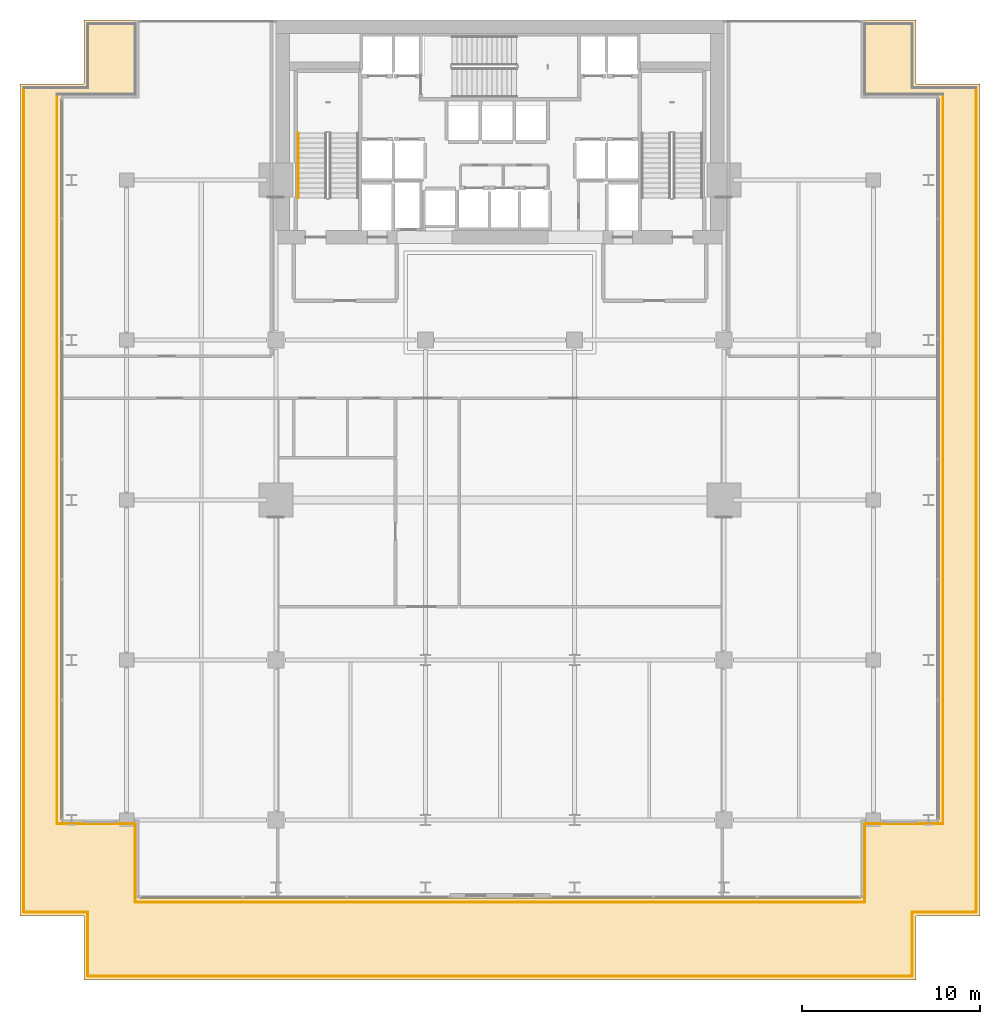
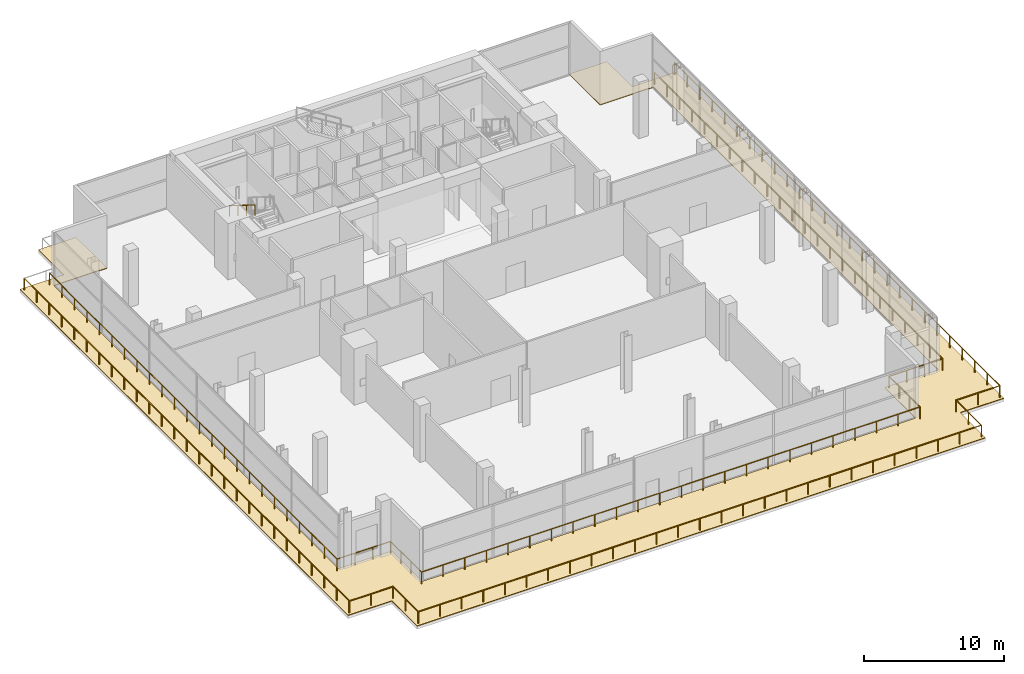
# One storey, part 28 of 31: 15 railings, 1 covering.
"""IFC4 building model written with IfcOpenShell, lengths in metres."""

from ifc_helpers import new_model, si_unit, direction, frame, origin, origin_2d, place, context, subcontext, project, spatial, polyline, circle, outline, extrude, material, layer, layer_set, type_object, element, save


model = new_model("IFC4")

# Units and contexts
model_context = context("Model", 3, precision=1e-05, world=origin(), true_north=direction((0.0, 1.0)))
body_context = subcontext(model_context, "Body", "Model", "MODEL_VIEW")
ifc_project = project(units=[si_unit("LENGTHUNIT", "METRE"), si_unit("AREAUNIT", "SQUARE_METRE"), si_unit("VOLUMEUNIT", "CUBIC_METRE"), si_unit("PLANEANGLEUNIT", "RADIAN"), si_unit("MASSUNIT", "GRAM", prefix="KILO")], contexts=[model_context])

# Site, building, storey
site_placement = place(None, origin())
site = spatial("IfcSite", under=ifc_project, at=site_placement, CompositionType="ELEMENT")
building_placement = place(site_placement, origin())
building = spatial("IfcBuilding", under=site, at=building_placement, Name="Maruvema Waterfront Hotel and Observation Tower", CompositionType="ELEMENT")
storey_placement = place(building_placement, frame((0.0, 0.0, 122.5)))
storey = spatial("IfcBuildingStorey", under=building, at=storey_placement, Name="L29", CompositionType="ELEMENT", Elevation=122.5)

# Covering
ifc_material_1 = material(Name="SBS modified bitumen waterproofing with granite ballast", Category="masonry")
ifc_layer = layer(ifc_material_1, 0.090087890625, Name="Elastomeric Waterproof Roof Membrane and Granite Ballast 90 mm")
ifc_layer_set = layer_set([ifc_layer], Name="SBS modified bitumen waterproofing with granite ballast")
covering_type = type_object("IfcCoveringType", Name="Elastomeric Waterproof Roof Membrane and Granite Ballast 90 mm", PredefinedType="ROOFING", material=ifc_layer_set)
covering_placement = place(storey_placement, origin())
element("IfcCovering", 1, at=covering_placement, inside=storey, type_object=covering_type, Name="L29 Setback Terrace Waterproofing and Pavers 1", PredefinedType="ROOFING", context=body_context, shape_type="SweptSolid", body=[
    extrude(outline(polyline([(61.199951171875, 54.0), (61.199951171875, 50.39990234375), (64.800048828125, 50.39990234375), (64.800048828125, 3.60009765625), (61.199951171875, 3.60009765625), (61.199951171875, 0.0), (14.39990234375, 0.0), (14.39990234375, 3.60009765625), (10.800048828125, 3.60009765625), (10.800048828125, 50.39990234375), (14.39990234375, 50.39990234375), (14.39990234375, 54.0), (17.5, 54.0), (17.5, 49.60009765625), (13.10009765625, 49.60009765625), (13.10009765625, 9.0), (17.5, 9.0), (17.5, 4.60009765625), (58.10009765625, 4.60009765625), (58.10009765625, 9.0), (62.5, 9.0), (62.5, 49.60009765625), (58.10009765625, 49.60009765625), (58.10009765625, 54.0), (61.199951171875, 54.0)])), origin(), (0.0, 0.0, 1.0), 0.06005859375),
])

# Railings
ifc_material_2 = material(Name="Brushed stainless steel Grade 316", Category="steel")
railing_type_1 = type_object("IfcRailingType", Name="Ramp Continuous Wall Handrail 920 mm", PredefinedType="HANDRAIL", material=ifc_material_2)
railing_1_placement = place(storey_placement, frame((26.449951171875, 47.639892578125, 2.625)))
element("IfcRailing", 2, at=railing_1_placement, inside=storey, type_object=railing_type_1, Name="L29 ST-01 stair handrail 2", PredefinedType="HANDRAIL", context=body_context, shape_type="SweptSolid", body=[
    extrude(circle(Radius=0.02392578125, at=origin_2d()), frame((0.0, 0.0, 0.89599609375), z_axis=(0.0, -0.848001499411, 0.52999382732), x_axis=(1.0, 0.0, 0.0)), (0.0, 0.0, 1.0), 4.292236328125),
    extrude(circle(Radius=0.02099609375, at=origin_2d()), origin(), (0.0, 0.0, 1.0), 0.871826171875),
    extrude(circle(Radius=0.02099609375, at=origin_2d()), frame((0.0, -1.21337890625, 0.75830078125)), (0.0, 0.0, 1.0), 0.871826171875),
    extrude(circle(Radius=0.02099609375, at=origin_2d()), frame((0.0, -2.426513671875, 1.5166015625)), (0.0, 0.0, 1.0), 0.871826171875),
    extrude(circle(Radius=0.02099609375, at=origin_2d()), frame((0.0, -3.639892578125, 2.27490234375)), (0.0, 0.0, 1.0), 0.871826171875),
])
ifc_material_3 = material(Name="Brushed stainless steel Grade 316", Category="steel")
railing_type_2 = type_object("IfcRailingType", Name="Ramp and Terrace Guard Balustrade 1100 mm", PredefinedType="BALUSTRADE", material=ifc_material_3)
railing_2_placement = place(storey_placement, frame((64.580078125, 50.179931640625, 0.0)))
element("IfcRailing", 3, at=railing_2_placement, inside=storey, type_object=railing_type_2, Name="L29 Perimeter Safety Balustrade 3", PredefinedType="BALUSTRADE", context=body_context, shape_type="SweptSolid", body=[
    extrude(circle(Radius=0.02392578125, at=origin_2d()), frame((0.0, 0.0, 1.076171875), z_axis=(0.0, -1.0, 0.0), x_axis=(1.0, 0.0, 0.0)), (0.0, 0.0, 1.0), 46.35986328125),
    extrude(circle(Radius=0.02099609375, at=origin_2d()), origin(), (0.0, 0.0, 1.0), 1.052001953125),
    extrude(circle(Radius=0.02099609375, at=origin_2d()), frame((0.0, -1.782958984375, 0.0)), (0.0, 0.0, 1.0), 1.052001953125),
    extrude(circle(Radius=0.02099609375, at=origin_2d()), frame((0.0, -3.566162109375, 0.0)), (0.0, 0.0, 1.0), 1.052001953125),
    extrude(circle(Radius=0.02099609375, at=origin_2d()), frame((0.0, -5.34912109375, 0.0)), (0.0, 0.0, 1.0), 1.052001953125),
    extrude(circle(Radius=0.02099609375, at=origin_2d()), frame((0.0, -7.13232421875, 0.0)), (0.0, 0.0, 1.0), 1.052001953125),
    extrude(circle(Radius=0.02099609375, at=origin_2d()), frame((0.0, -8.915283203125, 0.0)), (0.0, 0.0, 1.0), 1.052001953125),
    extrude(circle(Radius=0.02099609375, at=origin_2d()), frame((0.0, -10.698486328125, 0.0)), (0.0, 0.0, 1.0), 1.052001953125),
    extrude(circle(Radius=0.02099609375, at=origin_2d()), frame((0.0, -12.4814453125, 0.0)), (0.0, 0.0, 1.0), 1.052001953125),
    extrude(circle(Radius=0.02099609375, at=origin_2d()), frame((0.0, -14.2646484375, 0.0)), (0.0, 0.0, 1.0), 1.052001953125),
    extrude(circle(Radius=0.02099609375, at=origin_2d()), frame((0.0, -16.047607421875, 0.0)), (0.0, 0.0, 1.0), 1.052001953125),
    extrude(circle(Radius=0.02099609375, at=origin_2d()), frame((0.0, -17.830810546875, 0.0)), (0.0, 0.0, 1.0), 1.052001953125),
    extrude(circle(Radius=0.02099609375, at=origin_2d()), frame((0.0, -19.61376953125, 0.0)), (0.0, 0.0, 1.0), 1.052001953125),
    extrude(circle(Radius=0.02099609375, at=origin_2d()), frame((0.0, -21.39697265625, 0.0)), (0.0, 0.0, 1.0), 1.052001953125),
    extrude(circle(Radius=0.02099609375, at=origin_2d()), frame((0.0, -23.179931640625, 0.0)), (0.0, 0.0, 1.0), 1.052001953125),
    extrude(circle(Radius=0.02099609375, at=origin_2d()), frame((0.0, -24.962890625, 0.0)), (0.0, 0.0, 1.0), 1.052001953125),
    extrude(circle(Radius=0.02099609375, at=origin_2d()), frame((0.0, -26.74609375, 0.0)), (0.0, 0.0, 1.0), 1.052001953125),
    extrude(circle(Radius=0.02099609375, at=origin_2d()), frame((0.0, -28.529052734375, 0.0)), (0.0, 0.0, 1.0), 1.052001953125),
    extrude(circle(Radius=0.02099609375, at=origin_2d()), frame((0.0, -30.312255859375, 0.0)), (0.0, 0.0, 1.0), 1.052001953125),
    extrude(circle(Radius=0.02099609375, at=origin_2d()), frame((0.0, -32.09521484375, 0.0)), (0.0, 0.0, 1.0), 1.052001953125),
    extrude(circle(Radius=0.02099609375, at=origin_2d()), frame((0.0, -33.87841796875, 0.0)), (0.0, 0.0, 1.0), 1.052001953125),
    extrude(circle(Radius=0.02099609375, at=origin_2d()), frame((0.0, -35.661376953125, 0.0)), (0.0, 0.0, 1.0), 1.052001953125),
    extrude(circle(Radius=0.02099609375, at=origin_2d()), frame((0.0, -37.444580078125, 0.0)), (0.0, 0.0, 1.0), 1.052001953125),
    extrude(circle(Radius=0.02099609375, at=origin_2d()), frame((0.0, -39.2275390625, 0.0)), (0.0, 0.0, 1.0), 1.052001953125),
    extrude(circle(Radius=0.02099609375, at=origin_2d()), frame((0.0, -41.0107421875, 0.0)), (0.0, 0.0, 1.0), 1.052001953125),
    extrude(circle(Radius=0.02099609375, at=origin_2d()), frame((0.0, -42.793701171875, 0.0)), (0.0, 0.0, 1.0), 1.052001953125),
    extrude(circle(Radius=0.02099609375, at=origin_2d()), frame((0.0, -44.576904296875, 0.0)), (0.0, 0.0, 1.0), 1.052001953125),
    extrude(circle(Radius=0.02099609375, at=origin_2d()), frame((0.0, -46.35986328125, 0.0)), (0.0, 0.0, 1.0), 1.052001953125),
])
railing_3_placement = place(storey_placement, frame((64.580078125, 3.820068359375, 0.0)))
element("IfcRailing", 4, at=railing_3_placement, inside=storey, type_object=railing_type_2, Name="L29 Perimeter Safety Balustrade 4", PredefinedType="BALUSTRADE", context=body_context, shape_type="SweptSolid", body=[
    extrude(circle(Radius=0.02392578125, at=origin_2d()), frame((0.0, 0.0, 1.076171875), z_axis=(-1.0, 0.0, 0.0), x_axis=(0.0, -1.0, 0.0)), (0.0, 0.0, 1.0), 3.60009765625),
    extrude(circle(Radius=0.02099609375, at=origin_2d()), origin(), (0.0, 0.0, 1.0), 1.052001953125),
    extrude(circle(Radius=0.02099609375, at=origin_2d()), frame((-1.800048828125, 0.0, 0.0)), (0.0, 0.0, 1.0), 1.052001953125),
    extrude(circle(Radius=0.02099609375, at=origin_2d()), frame((-3.60009765625, 0.0, 0.0)), (0.0, 0.0, 1.0), 1.052001953125),
])
railing_4_placement = place(storey_placement, frame((60.97998046875, 3.820068359375, 0.0)))
element("IfcRailing", 5, at=railing_4_placement, inside=storey, type_object=railing_type_2, Name="L29 Perimeter Safety Balustrade 5", PredefinedType="BALUSTRADE", context=body_context, shape_type="SweptSolid", body=[
    extrude(circle(Radius=0.02392578125, at=origin_2d()), frame((0.0, 0.0, 1.076171875), z_axis=(0.0, -1.0, 0.0), x_axis=(1.0, 0.0, 0.0)), (0.0, 0.0, 1.0), 3.60009765625),
    extrude(circle(Radius=0.02099609375, at=origin_2d()), origin(), (0.0, 0.0, 1.0), 1.052001953125),
    extrude(circle(Radius=0.02099609375, at=origin_2d()), frame((0.0, -1.800048828125, 0.0)), (0.0, 0.0, 1.0), 1.052001953125),
    extrude(circle(Radius=0.02099609375, at=origin_2d()), frame((0.0, -3.60009765625, 0.0)), (0.0, 0.0, 1.0), 1.052001953125),
])
railing_5_placement = place(storey_placement, frame((60.97998046875, 0.219970703125, 0.0)))
element("IfcRailing", 6, at=railing_5_placement, inside=storey, type_object=railing_type_2, Name="L29 Perimeter Safety Balustrade 6", PredefinedType="BALUSTRADE", context=body_context, shape_type="SweptSolid", body=[
    extrude(circle(Radius=0.02392578125, at=origin_2d()), frame((0.0, 0.0, 1.076171875), z_axis=(-1.0, 0.0, 0.0), x_axis=(0.0, -1.0, 0.0)), (0.0, 0.0, 1.0), 46.35986328125),
    extrude(circle(Radius=0.02099609375, at=origin_2d()), origin(), (0.0, 0.0, 1.0), 1.052001953125),
    extrude(circle(Radius=0.02099609375, at=origin_2d()), frame((-1.782958984375, 0.0, 0.0)), (0.0, 0.0, 1.0), 1.052001953125),
    extrude(circle(Radius=0.02099609375, at=origin_2d()), frame((-3.566162109375, 0.0, 0.0)), (0.0, 0.0, 1.0), 1.052001953125),
    extrude(circle(Radius=0.02099609375, at=origin_2d()), frame((-5.34912109375, 0.0, 0.0)), (0.0, 0.0, 1.0), 1.052001953125),
    extrude(circle(Radius=0.02099609375, at=origin_2d()), frame((-7.13232421875, 0.0, 0.0)), (0.0, 0.0, 1.0), 1.052001953125),
    extrude(circle(Radius=0.02099609375, at=origin_2d()), frame((-8.915283203125, 0.0, 0.0)), (0.0, 0.0, 1.0), 1.052001953125),
    extrude(circle(Radius=0.02099609375, at=origin_2d()), frame((-10.698486328125, 0.0, 0.0)), (0.0, 0.0, 1.0), 1.052001953125),
    extrude(circle(Radius=0.02099609375, at=origin_2d()), frame((-12.4814453125, 0.0, 0.0)), (0.0, 0.0, 1.0), 1.052001953125),
    extrude(circle(Radius=0.02099609375, at=origin_2d()), frame((-14.2646484375, 0.0, 0.0)), (0.0, 0.0, 1.0), 1.052001953125),
    extrude(circle(Radius=0.02099609375, at=origin_2d()), frame((-16.047607421875, 0.0, 0.0)), (0.0, 0.0, 1.0), 1.052001953125),
    extrude(circle(Radius=0.02099609375, at=origin_2d()), frame((-17.830810546875, 0.0, 0.0)), (0.0, 0.0, 1.0), 1.052001953125),
    extrude(circle(Radius=0.02099609375, at=origin_2d()), frame((-19.61376953125, 0.0, 0.0)), (0.0, 0.0, 1.0), 1.052001953125),
    extrude(circle(Radius=0.02099609375, at=origin_2d()), frame((-21.39697265625, 0.0, 0.0)), (0.0, 0.0, 1.0), 1.052001953125),
    extrude(circle(Radius=0.02099609375, at=origin_2d()), frame((-23.179931640625, 0.0, 0.0)), (0.0, 0.0, 1.0), 1.052001953125),
    extrude(circle(Radius=0.02099609375, at=origin_2d()), frame((-24.962890625, 0.0, 0.0)), (0.0, 0.0, 1.0), 1.052001953125),
    extrude(circle(Radius=0.02099609375, at=origin_2d()), frame((-26.74609375, 0.0, 0.0)), (0.0, 0.0, 1.0), 1.052001953125),
    extrude(circle(Radius=0.02099609375, at=origin_2d()), frame((-28.529052734375, 0.0, 0.0)), (0.0, 0.0, 1.0), 1.052001953125),
    extrude(circle(Radius=0.02099609375, at=origin_2d()), frame((-30.312255859375, 0.0, 0.0)), (0.0, 0.0, 1.0), 1.052001953125),
    extrude(circle(Radius=0.02099609375, at=origin_2d()), frame((-32.09521484375, 0.0, 0.0)), (0.0, 0.0, 1.0), 1.052001953125),
    extrude(circle(Radius=0.02099609375, at=origin_2d()), frame((-33.87841796875, 0.0, 0.0)), (0.0, 0.0, 1.0), 1.052001953125),
    extrude(circle(Radius=0.02099609375, at=origin_2d()), frame((-35.661376953125, 0.0, 0.0)), (0.0, 0.0, 1.0), 1.052001953125),
    extrude(circle(Radius=0.02099609375, at=origin_2d()), frame((-37.444580078125, 0.0, 0.0)), (0.0, 0.0, 1.0), 1.052001953125),
    extrude(circle(Radius=0.02099609375, at=origin_2d()), frame((-39.2275390625, 0.0, 0.0)), (0.0, 0.0, 1.0), 1.052001953125),
    extrude(circle(Radius=0.02099609375, at=origin_2d()), frame((-41.0107421875, 0.0, 0.0)), (0.0, 0.0, 1.0), 1.052001953125),
    extrude(circle(Radius=0.02099609375, at=origin_2d()), frame((-42.793701171875, 0.0, 0.0)), (0.0, 0.0, 1.0), 1.052001953125),
    extrude(circle(Radius=0.02099609375, at=origin_2d()), frame((-44.576904296875, 0.0, 0.0)), (0.0, 0.0, 1.0), 1.052001953125),
    extrude(circle(Radius=0.02099609375, at=origin_2d()), frame((-46.35986328125, 0.0, 0.0)), (0.0, 0.0, 1.0), 1.052001953125),
])
railing_6_placement = place(storey_placement, frame((14.6201171875, 0.219970703125, 0.0)))
element("IfcRailing", 7, at=railing_6_placement, inside=storey, type_object=railing_type_2, Name="L29 Perimeter Safety Balustrade 7", PredefinedType="BALUSTRADE", context=body_context, shape_type="SweptSolid", body=[
    extrude(circle(Radius=0.02392578125, at=origin_2d()), frame((0.0, 0.0, 1.076171875), z_axis=(0.0, 1.0, 0.0), x_axis=(-1.0, 0.0, 0.0)), (0.0, 0.0, 1.0), 3.60009765625),
    extrude(circle(Radius=0.02099609375, at=origin_2d()), origin(), (0.0, 0.0, 1.0), 1.052001953125),
    extrude(circle(Radius=0.02099609375, at=origin_2d()), frame((0.0, 1.800048828125, 0.0)), (0.0, 0.0, 1.0), 1.052001953125),
    extrude(circle(Radius=0.02099609375, at=origin_2d()), frame((0.0, 3.60009765625, 0.0)), (0.0, 0.0, 1.0), 1.052001953125),
])
railing_7_placement = place(storey_placement, frame((14.6201171875, 3.820068359375, 0.0)))
element("IfcRailing", 8, at=railing_7_placement, inside=storey, type_object=railing_type_2, Name="L29 Perimeter Safety Balustrade 8", PredefinedType="BALUSTRADE", context=body_context, shape_type="SweptSolid", body=[
    extrude(circle(Radius=0.02392578125, at=origin_2d()), frame((0.0, 0.0, 1.076171875), z_axis=(-1.0, 0.0, 0.0), x_axis=(0.0, -1.0, 0.0)), (0.0, 0.0, 1.0), 3.60009765625),
    extrude(circle(Radius=0.02099609375, at=origin_2d()), origin(), (0.0, 0.0, 1.0), 1.052001953125),
    extrude(circle(Radius=0.02099609375, at=origin_2d()), frame((-1.800048828125, 0.0, 0.0)), (0.0, 0.0, 1.0), 1.052001953125),
    extrude(circle(Radius=0.02099609375, at=origin_2d()), frame((-3.60009765625, 0.0, 0.0)), (0.0, 0.0, 1.0), 1.052001953125),
])
railing_8_placement = place(storey_placement, frame((11.02001953125, 3.820068359375, 0.0)))
element("IfcRailing", 9, at=railing_8_placement, inside=storey, type_object=railing_type_2, Name="L29 Perimeter Safety Balustrade 9", PredefinedType="BALUSTRADE", context=body_context, shape_type="SweptSolid", body=[
    extrude(circle(Radius=0.02392578125, at=origin_2d()), frame((0.0, 0.0, 1.076171875), z_axis=(0.0, 1.0, 0.0), x_axis=(-1.0, 0.0, 0.0)), (0.0, 0.0, 1.0), 46.35986328125),
    extrude(circle(Radius=0.02099609375, at=origin_2d()), origin(), (0.0, 0.0, 1.0), 1.052001953125),
    extrude(circle(Radius=0.02099609375, at=origin_2d()), frame((0.0, 1.782958984375, 0.0)), (0.0, 0.0, 1.0), 1.052001953125),
    extrude(circle(Radius=0.02099609375, at=origin_2d()), frame((0.0, 3.566162109375, 0.0)), (0.0, 0.0, 1.0), 1.052001953125),
    extrude(circle(Radius=0.02099609375, at=origin_2d()), frame((0.0, 5.34912109375, 0.0)), (0.0, 0.0, 1.0), 1.052001953125),
    extrude(circle(Radius=0.02099609375, at=origin_2d()), frame((0.0, 7.13232421875, 0.0)), (0.0, 0.0, 1.0), 1.052001953125),
    extrude(circle(Radius=0.02099609375, at=origin_2d()), frame((0.0, 8.915283203125, 0.0)), (0.0, 0.0, 1.0), 1.052001953125),
    extrude(circle(Radius=0.02099609375, at=origin_2d()), frame((0.0, 10.698486328125, 0.0)), (0.0, 0.0, 1.0), 1.052001953125),
    extrude(circle(Radius=0.02099609375, at=origin_2d()), frame((0.0, 12.4814453125, 0.0)), (0.0, 0.0, 1.0), 1.052001953125),
    extrude(circle(Radius=0.02099609375, at=origin_2d()), frame((0.0, 14.2646484375, 0.0)), (0.0, 0.0, 1.0), 1.052001953125),
    extrude(circle(Radius=0.02099609375, at=origin_2d()), frame((0.0, 16.047607421875, 0.0)), (0.0, 0.0, 1.0), 1.052001953125),
    extrude(circle(Radius=0.02099609375, at=origin_2d()), frame((0.0, 17.830810546875, 0.0)), (0.0, 0.0, 1.0), 1.052001953125),
    extrude(circle(Radius=0.02099609375, at=origin_2d()), frame((0.0, 19.61376953125, 0.0)), (0.0, 0.0, 1.0), 1.052001953125),
    extrude(circle(Radius=0.02099609375, at=origin_2d()), frame((0.0, 21.39697265625, 0.0)), (0.0, 0.0, 1.0), 1.052001953125),
    extrude(circle(Radius=0.02099609375, at=origin_2d()), frame((0.0, 23.179931640625, 0.0)), (0.0, 0.0, 1.0), 1.052001953125),
    extrude(circle(Radius=0.02099609375, at=origin_2d()), frame((0.0, 24.962890625, 0.0)), (0.0, 0.0, 1.0), 1.052001953125),
    extrude(circle(Radius=0.02099609375, at=origin_2d()), frame((0.0, 26.74609375, 0.0)), (0.0, 0.0, 1.0), 1.052001953125),
    extrude(circle(Radius=0.02099609375, at=origin_2d()), frame((0.0, 28.529052734375, 0.0)), (0.0, 0.0, 1.0), 1.052001953125),
    extrude(circle(Radius=0.02099609375, at=origin_2d()), frame((0.0, 30.312255859375, 0.0)), (0.0, 0.0, 1.0), 1.052001953125),
    extrude(circle(Radius=0.02099609375, at=origin_2d()), frame((0.0, 32.09521484375, 0.0)), (0.0, 0.0, 1.0), 1.052001953125),
    extrude(circle(Radius=0.02099609375, at=origin_2d()), frame((0.0, 33.87841796875, 0.0)), (0.0, 0.0, 1.0), 1.052001953125),
    extrude(circle(Radius=0.02099609375, at=origin_2d()), frame((0.0, 35.661376953125, 0.0)), (0.0, 0.0, 1.0), 1.052001953125),
    extrude(circle(Radius=0.02099609375, at=origin_2d()), frame((0.0, 37.444580078125, 0.0)), (0.0, 0.0, 1.0), 1.052001953125),
    extrude(circle(Radius=0.02099609375, at=origin_2d()), frame((0.0, 39.2275390625, 0.0)), (0.0, 0.0, 1.0), 1.052001953125),
    extrude(circle(Radius=0.02099609375, at=origin_2d()), frame((0.0, 41.0107421875, 0.0)), (0.0, 0.0, 1.0), 1.052001953125),
    extrude(circle(Radius=0.02099609375, at=origin_2d()), frame((0.0, 42.793701171875, 0.0)), (0.0, 0.0, 1.0), 1.052001953125),
    extrude(circle(Radius=0.02099609375, at=origin_2d()), frame((0.0, 44.576904296875, 0.0)), (0.0, 0.0, 1.0), 1.052001953125),
    extrude(circle(Radius=0.02099609375, at=origin_2d()), frame((0.0, 46.35986328125, 0.0)), (0.0, 0.0, 1.0), 1.052001953125),
])
railing_9_placement = place(storey_placement, frame((12.8798828125, 49.820068359375, 0.0)))
element("IfcRailing", 10, at=railing_9_placement, inside=storey, type_object=railing_type_2, Name="L29 Perimeter Safety Balustrade 15", PredefinedType="BALUSTRADE", context=body_context, shape_type="SweptSolid", body=[
    extrude(circle(Radius=0.02392578125, at=origin_2d()), frame((0.0, 0.0, 1.076171875), z_axis=(0.0, -1.0, 0.0), x_axis=(1.0, 0.0, 0.0)), (0.0, 0.0, 1.0), 41.0400390625),
    extrude(circle(Radius=0.02099609375, at=origin_2d()), origin(), (0.0, 0.0, 1.0), 1.052001953125),
    extrude(circle(Radius=0.02099609375, at=origin_2d()), frame((0.0, -1.784423828125, 0.0)), (0.0, 0.0, 1.0), 1.052001953125),
    extrude(circle(Radius=0.02099609375, at=origin_2d()), frame((0.0, -3.568603515625, 0.0)), (0.0, 0.0, 1.0), 1.052001953125),
    extrude(circle(Radius=0.02099609375, at=origin_2d()), frame((0.0, -5.35302734375, 0.0)), (0.0, 0.0, 1.0), 1.052001953125),
    extrude(circle(Radius=0.02099609375, at=origin_2d()), frame((0.0, -7.137451171875, 0.0)), (0.0, 0.0, 1.0), 1.052001953125),
    extrude(circle(Radius=0.02099609375, at=origin_2d()), frame((0.0, -8.921630859375, 0.0)), (0.0, 0.0, 1.0), 1.052001953125),
    extrude(circle(Radius=0.02099609375, at=origin_2d()), frame((0.0, -10.7060546875, 0.0)), (0.0, 0.0, 1.0), 1.052001953125),
    extrude(circle(Radius=0.02099609375, at=origin_2d()), frame((0.0, -12.490478515625, 0.0)), (0.0, 0.0, 1.0), 1.052001953125),
    extrude(circle(Radius=0.02099609375, at=origin_2d()), frame((0.0, -14.27490234375, 0.0)), (0.0, 0.0, 1.0), 1.052001953125),
    extrude(circle(Radius=0.02099609375, at=origin_2d()), frame((0.0, -16.05908203125, 0.0)), (0.0, 0.0, 1.0), 1.052001953125),
    extrude(circle(Radius=0.02099609375, at=origin_2d()), frame((0.0, -17.843505859375, 0.0)), (0.0, 0.0, 1.0), 1.052001953125),
    extrude(circle(Radius=0.02099609375, at=origin_2d()), frame((0.0, -19.6279296875, 0.0)), (0.0, 0.0, 1.0), 1.052001953125),
    extrude(circle(Radius=0.02099609375, at=origin_2d()), frame((0.0, -21.412109375, 0.0)), (0.0, 0.0, 1.0), 1.052001953125),
    extrude(circle(Radius=0.02099609375, at=origin_2d()), frame((0.0, -23.196533203125, 0.0)), (0.0, 0.0, 1.0), 1.052001953125),
    extrude(circle(Radius=0.02099609375, at=origin_2d()), frame((0.0, -24.98095703125, 0.0)), (0.0, 0.0, 1.0), 1.052001953125),
    extrude(circle(Radius=0.02099609375, at=origin_2d()), frame((0.0, -26.76513671875, 0.0)), (0.0, 0.0, 1.0), 1.052001953125),
    extrude(circle(Radius=0.02099609375, at=origin_2d()), frame((0.0, -28.549560546875, 0.0)), (0.0, 0.0, 1.0), 1.052001953125),
    extrude(circle(Radius=0.02099609375, at=origin_2d()), frame((0.0, -30.333984375, 0.0)), (0.0, 0.0, 1.0), 1.052001953125),
    extrude(circle(Radius=0.02099609375, at=origin_2d()), frame((0.0, -32.118408203125, 0.0)), (0.0, 0.0, 1.0), 1.052001953125),
    extrude(circle(Radius=0.02099609375, at=origin_2d()), frame((0.0, -33.902587890625, 0.0)), (0.0, 0.0, 1.0), 1.052001953125),
    extrude(circle(Radius=0.02099609375, at=origin_2d()), frame((0.0, -35.68701171875, 0.0)), (0.0, 0.0, 1.0), 1.052001953125),
    extrude(circle(Radius=0.02099609375, at=origin_2d()), frame((0.0, -37.471435546875, 0.0)), (0.0, 0.0, 1.0), 1.052001953125),
    extrude(circle(Radius=0.02099609375, at=origin_2d()), frame((0.0, -39.255615234375, 0.0)), (0.0, 0.0, 1.0), 1.052001953125),
    extrude(circle(Radius=0.02099609375, at=origin_2d()), frame((0.0, -41.0400390625, 0.0)), (0.0, 0.0, 1.0), 1.052001953125),
])
railing_10_placement = place(storey_placement, frame((12.8798828125, 8.780029296875, 0.0)))
element("IfcRailing", 11, at=railing_10_placement, inside=storey, type_object=railing_type_2, Name="L29 Perimeter Safety Balustrade 16", PredefinedType="BALUSTRADE", context=body_context, shape_type="SweptSolid", body=[
    extrude(circle(Radius=0.02392578125, at=origin_2d()), frame((0.0, 0.0, 1.076171875), z_axis=(1.0, 0.0, 0.0), x_axis=(0.0, 1.0, 0.0)), (0.0, 0.0, 1.0), 4.400146484375),
    extrude(circle(Radius=0.02099609375, at=origin_2d()), origin(), (0.0, 0.0, 1.0), 1.052001953125),
    extrude(circle(Radius=0.02099609375, at=origin_2d()), frame((1.466796875, 0.0, 0.0)), (0.0, 0.0, 1.0), 1.052001953125),
    extrude(circle(Radius=0.02099609375, at=origin_2d()), frame((2.933349609375, 0.0, 0.0)), (0.0, 0.0, 1.0), 1.052001953125),
    extrude(circle(Radius=0.02099609375, at=origin_2d()), frame((4.400146484375, 0.0, 0.0)), (0.0, 0.0, 1.0), 1.052001953125),
])
railing_11_placement = place(storey_placement, frame((17.280029296875, 8.780029296875, 0.0)))
element("IfcRailing", 12, at=railing_11_placement, inside=storey, type_object=railing_type_2, Name="L29 Perimeter Safety Balustrade 17", PredefinedType="BALUSTRADE", context=body_context, shape_type="SweptSolid", body=[
    extrude(circle(Radius=0.02392578125, at=origin_2d()), frame((0.0, 0.0, 1.076171875), z_axis=(0.0, -1.0, 0.0), x_axis=(1.0, 0.0, 0.0)), (0.0, 0.0, 1.0), 4.400146484375),
    extrude(circle(Radius=0.02099609375, at=origin_2d()), origin(), (0.0, 0.0, 1.0), 1.052001953125),
    extrude(circle(Radius=0.02099609375, at=origin_2d()), frame((0.0, -1.466796875, 0.0)), (0.0, 0.0, 1.0), 1.052001953125),
    extrude(circle(Radius=0.02099609375, at=origin_2d()), frame((0.0, -2.933349609375, 0.0)), (0.0, 0.0, 1.0), 1.052001953125),
    extrude(circle(Radius=0.02099609375, at=origin_2d()), frame((0.0, -4.400146484375, 0.0)), (0.0, 0.0, 1.0), 1.052001953125),
])
railing_12_placement = place(storey_placement, frame((17.280029296875, 4.3798828125, 0.0)))
element("IfcRailing", 13, at=railing_12_placement, inside=storey, type_object=railing_type_2, Name="L29 Perimeter Safety Balustrade 18", PredefinedType="BALUSTRADE", context=body_context, shape_type="SweptSolid", body=[
    extrude(circle(Radius=0.02392578125, at=origin_2d()), frame((0.0, 0.0, 1.076171875), z_axis=(1.0, 0.0, 0.0), x_axis=(0.0, 1.0, 0.0)), (0.0, 0.0, 1.0), 41.0400390625),
    extrude(circle(Radius=0.02099609375, at=origin_2d()), origin(), (0.0, 0.0, 1.0), 1.052001953125),
    extrude(circle(Radius=0.02099609375, at=origin_2d()), frame((1.784423828125, 0.0, 0.0)), (0.0, 0.0, 1.0), 1.052001953125),
    extrude(circle(Radius=0.02099609375, at=origin_2d()), frame((3.568603515625, 0.0, 0.0)), (0.0, 0.0, 1.0), 1.052001953125),
    extrude(circle(Radius=0.02099609375, at=origin_2d()), frame((5.35302734375, 0.0, 0.0)), (0.0, 0.0, 1.0), 1.052001953125),
    extrude(circle(Radius=0.02099609375, at=origin_2d()), frame((7.137451171875, 0.0, 0.0)), (0.0, 0.0, 1.0), 1.052001953125),
    extrude(circle(Radius=0.02099609375, at=origin_2d()), frame((8.921630859375, 0.0, 0.0)), (0.0, 0.0, 1.0), 1.052001953125),
    extrude(circle(Radius=0.02099609375, at=origin_2d()), frame((10.7060546875, 0.0, 0.0)), (0.0, 0.0, 1.0), 1.052001953125),
    extrude(circle(Radius=0.02099609375, at=origin_2d()), frame((12.490478515625, 0.0, 0.0)), (0.0, 0.0, 1.0), 1.052001953125),
    extrude(circle(Radius=0.02099609375, at=origin_2d()), frame((14.27490234375, 0.0, 0.0)), (0.0, 0.0, 1.0), 1.052001953125),
    extrude(circle(Radius=0.02099609375, at=origin_2d()), frame((16.05908203125, 0.0, 0.0)), (0.0, 0.0, 1.0), 1.052001953125),
    extrude(circle(Radius=0.02099609375, at=origin_2d()), frame((17.843505859375, 0.0, 0.0)), (0.0, 0.0, 1.0), 1.052001953125),
    extrude(circle(Radius=0.02099609375, at=origin_2d()), frame((19.6279296875, 0.0, 0.0)), (0.0, 0.0, 1.0), 1.052001953125),
    extrude(circle(Radius=0.02099609375, at=origin_2d()), frame((21.412109375, 0.0, 0.0)), (0.0, 0.0, 1.0), 1.052001953125),
    extrude(circle(Radius=0.02099609375, at=origin_2d()), frame((23.196533203125, 0.0, 0.0)), (0.0, 0.0, 1.0), 1.052001953125),
    extrude(circle(Radius=0.02099609375, at=origin_2d()), frame((24.98095703125, 0.0, 0.0)), (0.0, 0.0, 1.0), 1.052001953125),
    extrude(circle(Radius=0.02099609375, at=origin_2d()), frame((26.76513671875, 0.0, 0.0)), (0.0, 0.0, 1.0), 1.052001953125),
    extrude(circle(Radius=0.02099609375, at=origin_2d()), frame((28.549560546875, 0.0, 0.0)), (0.0, 0.0, 1.0), 1.052001953125),
    extrude(circle(Radius=0.02099609375, at=origin_2d()), frame((30.333984375, 0.0, 0.0)), (0.0, 0.0, 1.0), 1.052001953125),
    extrude(circle(Radius=0.02099609375, at=origin_2d()), frame((32.118408203125, 0.0, 0.0)), (0.0, 0.0, 1.0), 1.052001953125),
    extrude(circle(Radius=0.02099609375, at=origin_2d()), frame((33.902587890625, 0.0, 0.0)), (0.0, 0.0, 1.0), 1.052001953125),
    extrude(circle(Radius=0.02099609375, at=origin_2d()), frame((35.68701171875, 0.0, 0.0)), (0.0, 0.0, 1.0), 1.052001953125),
    extrude(circle(Radius=0.02099609375, at=origin_2d()), frame((37.471435546875, 0.0, 0.0)), (0.0, 0.0, 1.0), 1.052001953125),
    extrude(circle(Radius=0.02099609375, at=origin_2d()), frame((39.255615234375, 0.0, 0.0)), (0.0, 0.0, 1.0), 1.052001953125),
    extrude(circle(Radius=0.02099609375, at=origin_2d()), frame((41.0400390625, 0.0, 0.0)), (0.0, 0.0, 1.0), 1.052001953125),
])
railing_13_placement = place(storey_placement, frame((58.320068359375, 4.3798828125, 0.0)))
element("IfcRailing", 14, at=railing_13_placement, inside=storey, type_object=railing_type_2, Name="L29 Perimeter Safety Balustrade 19", PredefinedType="BALUSTRADE", context=body_context, shape_type="SweptSolid", body=[
    extrude(circle(Radius=0.02392578125, at=origin_2d()), frame((0.0, 0.0, 1.076171875), z_axis=(0.0, 1.0, 0.0), x_axis=(-1.0, 0.0, 0.0)), (0.0, 0.0, 1.0), 4.400146484375),
    extrude(circle(Radius=0.02099609375, at=origin_2d()), origin(), (0.0, 0.0, 1.0), 1.052001953125),
    extrude(circle(Radius=0.02099609375, at=origin_2d()), frame((0.0, 1.466796875, 0.0)), (0.0, 0.0, 1.0), 1.052001953125),
    extrude(circle(Radius=0.02099609375, at=origin_2d()), frame((0.0, 2.933349609375, 0.0)), (0.0, 0.0, 1.0), 1.052001953125),
    extrude(circle(Radius=0.02099609375, at=origin_2d()), frame((0.0, 4.400146484375, 0.0)), (0.0, 0.0, 1.0), 1.052001953125),
])
railing_14_placement = place(storey_placement, frame((58.320068359375, 8.780029296875, 0.0)))
element("IfcRailing", 15, at=railing_14_placement, inside=storey, type_object=railing_type_2, Name="L29 Perimeter Safety Balustrade 20", PredefinedType="BALUSTRADE", context=body_context, shape_type="SweptSolid", body=[
    extrude(circle(Radius=0.02392578125, at=origin_2d()), frame((0.0, 0.0, 1.076171875), z_axis=(1.0, 0.0, 0.0), x_axis=(0.0, 1.0, 0.0)), (0.0, 0.0, 1.0), 4.39990234375),
    extrude(circle(Radius=0.02099609375, at=origin_2d()), origin(), (0.0, 0.0, 1.0), 1.052001953125),
    extrude(circle(Radius=0.02099609375, at=origin_2d()), frame((1.466552734375, 0.0, 0.0)), (0.0, 0.0, 1.0), 1.052001953125),
    extrude(circle(Radius=0.02099609375, at=origin_2d()), frame((2.933349609375, 0.0, 0.0)), (0.0, 0.0, 1.0), 1.052001953125),
    extrude(circle(Radius=0.02099609375, at=origin_2d()), frame((4.39990234375, 0.0, 0.0)), (0.0, 0.0, 1.0), 1.052001953125),
])
railing_15_placement = place(storey_placement, frame((62.719970703125, 8.780029296875, 0.0)))
element("IfcRailing", 16, at=railing_15_placement, inside=storey, type_object=railing_type_2, Name="L29 Perimeter Safety Balustrade 21", PredefinedType="BALUSTRADE", context=body_context, shape_type="SweptSolid", body=[
    extrude(circle(Radius=0.02392578125, at=origin_2d()), frame((0.0, 0.0, 1.076171875), z_axis=(0.0, 1.0, 0.0), x_axis=(-1.0, 0.0, 0.0)), (0.0, 0.0, 1.0), 41.0400390625),
    extrude(circle(Radius=0.02099609375, at=origin_2d()), origin(), (0.0, 0.0, 1.0), 1.052001953125),
    extrude(circle(Radius=0.02099609375, at=origin_2d()), frame((0.0, 1.784423828125, 0.0)), (0.0, 0.0, 1.0), 1.052001953125),
    extrude(circle(Radius=0.02099609375, at=origin_2d()), frame((0.0, 3.568603515625, 0.0)), (0.0, 0.0, 1.0), 1.052001953125),
    extrude(circle(Radius=0.02099609375, at=origin_2d()), frame((0.0, 5.35302734375, 0.0)), (0.0, 0.0, 1.0), 1.052001953125),
    extrude(circle(Radius=0.02099609375, at=origin_2d()), frame((0.0, 7.137451171875, 0.0)), (0.0, 0.0, 1.0), 1.052001953125),
    extrude(circle(Radius=0.02099609375, at=origin_2d()), frame((0.0, 8.921630859375, 0.0)), (0.0, 0.0, 1.0), 1.052001953125),
    extrude(circle(Radius=0.02099609375, at=origin_2d()), frame((0.0, 10.7060546875, 0.0)), (0.0, 0.0, 1.0), 1.052001953125),
    extrude(circle(Radius=0.02099609375, at=origin_2d()), frame((0.0, 12.490478515625, 0.0)), (0.0, 0.0, 1.0), 1.052001953125),
    extrude(circle(Radius=0.02099609375, at=origin_2d()), frame((0.0, 14.27490234375, 0.0)), (0.0, 0.0, 1.0), 1.052001953125),
    extrude(circle(Radius=0.02099609375, at=origin_2d()), frame((0.0, 16.05908203125, 0.0)), (0.0, 0.0, 1.0), 1.052001953125),
    extrude(circle(Radius=0.02099609375, at=origin_2d()), frame((0.0, 17.843505859375, 0.0)), (0.0, 0.0, 1.0), 1.052001953125),
    extrude(circle(Radius=0.02099609375, at=origin_2d()), frame((0.0, 19.6279296875, 0.0)), (0.0, 0.0, 1.0), 1.052001953125),
    extrude(circle(Radius=0.02099609375, at=origin_2d()), frame((0.0, 21.412109375, 0.0)), (0.0, 0.0, 1.0), 1.052001953125),
    extrude(circle(Radius=0.02099609375, at=origin_2d()), frame((0.0, 23.196533203125, 0.0)), (0.0, 0.0, 1.0), 1.052001953125),
    extrude(circle(Radius=0.02099609375, at=origin_2d()), frame((0.0, 24.98095703125, 0.0)), (0.0, 0.0, 1.0), 1.052001953125),
    extrude(circle(Radius=0.02099609375, at=origin_2d()), frame((0.0, 26.76513671875, 0.0)), (0.0, 0.0, 1.0), 1.052001953125),
    extrude(circle(Radius=0.02099609375, at=origin_2d()), frame((0.0, 28.549560546875, 0.0)), (0.0, 0.0, 1.0), 1.052001953125),
    extrude(circle(Radius=0.02099609375, at=origin_2d()), frame((0.0, 30.333984375, 0.0)), (0.0, 0.0, 1.0), 1.052001953125),
    extrude(circle(Radius=0.02099609375, at=origin_2d()), frame((0.0, 32.118408203125, 0.0)), (0.0, 0.0, 1.0), 1.052001953125),
    extrude(circle(Radius=0.02099609375, at=origin_2d()), frame((0.0, 33.902587890625, 0.0)), (0.0, 0.0, 1.0), 1.052001953125),
    extrude(circle(Radius=0.02099609375, at=origin_2d()), frame((0.0, 35.68701171875, 0.0)), (0.0, 0.0, 1.0), 1.052001953125),
    extrude(circle(Radius=0.02099609375, at=origin_2d()), frame((0.0, 37.471435546875, 0.0)), (0.0, 0.0, 1.0), 1.052001953125),
    extrude(circle(Radius=0.02099609375, at=origin_2d()), frame((0.0, 39.255615234375, 0.0)), (0.0, 0.0, 1.0), 1.052001953125),
    extrude(circle(Radius=0.02099609375, at=origin_2d()), frame((0.0, 41.0400390625, 0.0)), (0.0, 0.0, 1.0), 1.052001953125),
])

save(model, "model.ifc")
